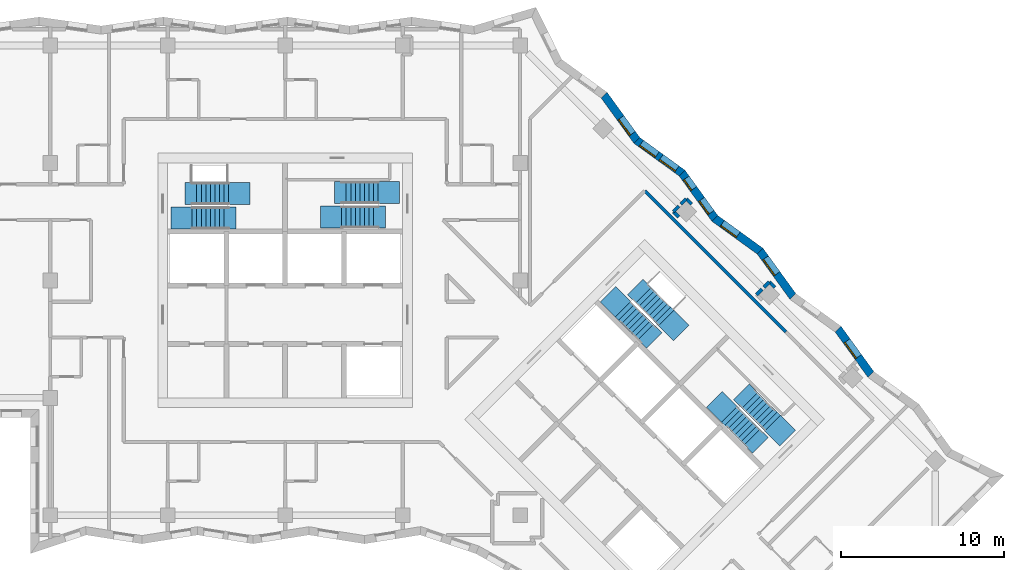
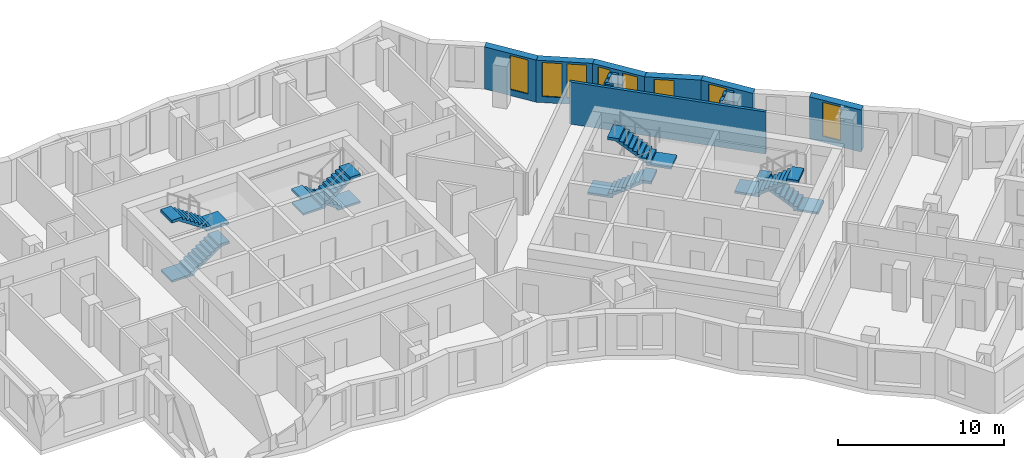
# One storey, part 10 of 12: 14 walls, 8 stair flights, 8 windows, 8 openings, 4 elements without a shape of their own.
"""IFC4 building model written with IfcOpenShell, lengths in metres."""

from ifc_helpers import new_model, si_unit, direction, frame, frame_2d, origin, place, context, subcontext, project, spatial, polyline, rectangle, outline, extrude, material, layer, layer_set, type_object, element, fill, aggregate, save


model = new_model("IFC4")

# Units and contexts
model_context = context("Model", 3, precision=1e-05, world=origin(), true_north=direction((0.0, 1.0)))
body_context = subcontext(model_context, "Body", "Model", "MODEL_VIEW")
ifc_project = project(units=[si_unit("LENGTHUNIT", "METRE"), si_unit("AREAUNIT", "SQUARE_METRE"), si_unit("VOLUMEUNIT", "CUBIC_METRE"), si_unit("PLANEANGLEUNIT", "RADIAN"), si_unit("MASSUNIT", "GRAM", prefix="KILO")], contexts=[model_context])

# Site, building, storey
site_placement = place(None, origin())
site = spatial("IfcSite", under=ifc_project, at=site_placement, CompositionType="ELEMENT")
building_placement = place(site_placement, origin())
building = spatial("IfcBuilding", under=site, at=building_placement, Name="Windrow Commons", CompositionType="ELEMENT")
storey_placement = place(building_placement, frame((0.0, 0.0, 162.6)))
storey = spatial("IfcBuildingStorey", under=building, at=storey_placement, Name="L44", CompositionType="ELEMENT", Elevation=162.6)

# Wall, opening, window
ifc_material_1 = material(Name="Brick masonry, red clay brick", Category="masonry")
ifc_layer_1 = layer(ifc_material_1, 0.5)
ifc_layer_set_1 = layer_set([ifc_layer_1], Name="Brick facade wall 500")
wall_type_1 = type_object("IfcWallType", Name="Brick facade wall 500", PredefinedType="SOLIDWALL", material=ifc_layer_set_1)
wall_1_placement = place(storey_placement, frame((100.6991, 51.8399, 0.0), z_axis=(0.0, 0.0, 1.0), x_axis=(-0.5862441964, 0.8101343976, 0.0)))
wall_1 = element("IfcWall", 1, at=wall_1_placement, inside=storey, type_object=wall_type_1, Name="Brick facade wall L44 10", PredefinedType="SOLIDWALL", context=body_context, shape_type="SweptSolid", body=[
    extrude(outline(polyline([(0.0401, -0.25), (3.4641, -0.25), (3.3839, 0.25), (-0.0401, 0.25), (0.0401, -0.25)])), origin(), (0.0, 0.0, 1.0), 3.1),
])
opening_1_placement = place(wall_1_placement, frame((1.3249, 0.0, 0.45)))
opening_1 = element("IfcOpeningElement", 2, at=opening_1_placement, cuts=wall_1, Name="Opening W7E", PredefinedType="OPENING", context=body_context, shape_type="SweptSolid", body=[
    extrude(rectangle(XDim=1.2, YDim=2.5, at=frame_2d((0.6, 1.25))), frame((0.0, 0.26, 0.0), z_axis=(0.0, -1.0, 0.0), x_axis=(1.0, 0.0, 0.0)), (0.0, 0.0, 1.0), 0.52),
])
ifc_material_2 = material(Name="Clear float glass in anodised aluminium frame", Category="aluminium")
window_type_1 = type_object("IfcWindowType", Name="Window W7 notch 1200x2500", PartitioningType="SINGLE_PANEL", PredefinedType="WINDOW", material=ifc_material_2)
window_1_placement = place(opening_1_placement, origin())
window_1 = element("IfcWindow", 3, at=window_1_placement, inside=storey, type_object=window_type_1, Name="Window L44 10.1", OverallHeight=2.5, OverallWidth=1.2, PartitioningType="SINGLE_PANEL", PredefinedType="WINDOW", context=body_context, shape_type="SweptSolid", body=[
    extrude(rectangle(XDim=1.2, YDim=2.5, at=frame_2d((0.6, 1.25))), frame((0.0, 0.18, 0.0), z_axis=(0.0, -1.0, 0.0), x_axis=(1.0, 0.0, 0.0)), (0.0, 0.0, 1.0), 0.06),
])
fill(opening_1, window_1)

wall_2_placement = place(storey_placement, frame((95.9179, 56.6211, 0.0), z_axis=(0.0, 0.0, 1.0), x_axis=(-0.586263364, 0.8101205268, 0.0)))
wall_2 = element("IfcWall", 4, at=wall_2_placement, inside=storey, type_object=wall_type_1, Name="Brick facade wall L44 12", PredefinedType="SOLIDWALL", context=body_context, shape_type="SweptSolid", body=[
    extrude(outline(polyline([(0.0401, -0.25), (3.4641, -0.25), (3.3839, 0.25), (-0.0401, 0.25), (0.0401, -0.25)])), origin(), (0.0, 0.0, 1.0), 3.1),
])
opening_2_placement = place(wall_2_placement, frame((1.6969, 0.0, 0.45)))
opening_2 = element("IfcOpeningElement", 5, at=opening_2_placement, cuts=wall_2, Name="Opening W7E", PredefinedType="OPENING", context=body_context, shape_type="SweptSolid", body=[
    extrude(rectangle(XDim=1.2, YDim=2.5, at=frame_2d((0.6, 1.25))), frame((0.0, 0.26, 0.0), z_axis=(0.0, -1.0, 0.0), x_axis=(1.0, 0.0, 0.0)), (0.0, 0.0, 1.0), 0.52),
])
window_2_placement = place(opening_2_placement, origin())
window_2 = element("IfcWindow", 6, at=window_2_placement, inside=storey, type_object=window_type_1, Name="Window L44 12.1", OverallHeight=2.5, OverallWidth=1.2, PartitioningType="SINGLE_PANEL", PredefinedType="WINDOW", context=body_context, shape_type="SweptSolid", body=[
    extrude(rectangle(XDim=1.2, YDim=2.5, at=frame_2d((0.6, 1.25))), frame((0.0, 0.18, 0.0), z_axis=(0.0, -1.0, 0.0), x_axis=(1.0, 0.0, 0.0)), (0.0, 0.0, 1.0), 0.06),
])
fill(opening_2, window_2)

wall_3_placement = place(storey_placement, frame((93.9105, 59.395, 0.0), z_axis=(0.0, 0.0, 1.0), x_axis=(-0.8101104885, 0.5862772351, 0.0)))
wall_3 = element("IfcWall", 7, at=wall_3_placement, inside=storey, type_object=wall_type_1, Name="Brick facade wall L44 13", PredefinedType="SOLIDWALL", context=body_context, shape_type="SweptSolid", body=[
    extrude(outline(polyline([(-0.0401, -0.25), (3.3839, -0.25), (3.4641, 0.25), (0.0401, 0.25), (-0.0401, -0.25)])), origin(), (0.0, 0.0, 1.0), 3.1),
])
opening_3_placement = place(wall_3_placement, frame((1.6779, 0.0, 0.45)))
opening_3 = element("IfcOpeningElement", 8, at=opening_3_placement, cuts=wall_3, Name="Opening W7E", PredefinedType="OPENING", context=body_context, shape_type="SweptSolid", body=[
    extrude(rectangle(XDim=1.2, YDim=2.5, at=frame_2d((0.6, 1.25))), frame((0.0, 0.26, 0.0), z_axis=(0.0, -1.0, 0.0), x_axis=(1.0, 0.0, 0.0)), (0.0, 0.0, 1.0), 0.52),
])
window_3_placement = place(opening_3_placement, origin())
window_3 = element("IfcWindow", 9, at=window_3_placement, inside=storey, type_object=window_type_1, Name="Window L44 13.1", OverallHeight=2.5, OverallWidth=1.2, PartitioningType="SINGLE_PANEL", PredefinedType="WINDOW", context=body_context, shape_type="SweptSolid", body=[
    extrude(rectangle(XDim=1.2, YDim=2.5, at=frame_2d((0.6, 1.25))), frame((0.0, 0.18, 0.0), z_axis=(0.0, -1.0, 0.0), x_axis=(1.0, 0.0, 0.0)), (0.0, 0.0, 1.0), 0.06),
])
fill(opening_3, window_3)

# Wall, openings, windows
wall_4_placement = place(storey_placement, frame((91.1367, 61.4024, 0.0), z_axis=(0.0, 0.0, 1.0), x_axis=(-0.5862772351, 0.8101104885, 0.0)))
wall_4 = element("IfcWall", 10, at=wall_4_placement, inside=storey, type_object=wall_type_1, Name="Brick facade wall L44 14", PredefinedType="SOLIDWALL", context=body_context, shape_type="SweptSolid", body=[
    extrude(outline(polyline([(0.0401, -0.25), (3.4641, -0.25), (3.3839, 0.25), (-0.0401, 0.25), (0.0401, -0.25)])), origin(), (0.0, 0.0, 1.0), 3.1),
])
opening_4_placement = place(wall_4_placement, frame((0.4235, 0.0, 0.45)))
opening_4 = element("IfcOpeningElement", 11, at=opening_4_placement, cuts=wall_4, Name="Opening W1S", PredefinedType="OPENING", context=body_context, shape_type="SweptSolid", body=[
    extrude(rectangle(XDim=1.0, YDim=2.5, at=frame_2d((0.5, 1.25))), frame((0.0, 0.26, 0.0), z_axis=(0.0, -1.0, 0.0), x_axis=(1.0, 0.0, 0.0)), (0.0, 0.0, 1.0), 0.52),
])
opening_5_placement = place(wall_4_placement, frame((2.2355, 0.0, 0.45)))
opening_5 = element("IfcOpeningElement", 12, at=opening_5_placement, cuts=wall_4, Name="Opening W1N", PredefinedType="OPENING", context=body_context, shape_type="SweptSolid", body=[
    extrude(rectangle(XDim=0.8, YDim=2.5, at=frame_2d((0.4, 1.25))), frame((0.0, 0.26, 0.0), z_axis=(0.0, -1.0, 0.0), x_axis=(1.0, 0.0, 0.0)), (0.0, 0.0, 1.0), 0.52),
])
ifc_material_3 = material(Name="Clear float glass in anodised aluminium frame", Category="aluminium")
window_type_2 = type_object("IfcWindowType", Name="Window W1N slit 800x2500", PartitioningType="SINGLE_PANEL", PredefinedType="WINDOW", material=ifc_material_3)
window_4_placement = place(opening_5_placement, origin())
window_4 = element("IfcWindow", 13, at=window_4_placement, inside=storey, type_object=window_type_2, Name="Window L44 14.1B", OverallHeight=2.5, OverallWidth=0.8, PartitioningType="SINGLE_PANEL", PredefinedType="WINDOW", context=body_context, shape_type="SweptSolid", body=[
    extrude(rectangle(XDim=0.8, YDim=2.5, at=frame_2d((0.4, 1.25))), frame((0.0, 0.18, 0.0), z_axis=(0.0, -1.0, 0.0), x_axis=(1.0, 0.0, 0.0)), (0.0, 0.0, 1.0), 0.06),
])
fill(opening_5, window_4)
ifc_material_4 = material(Name="Clear float glass in anodised aluminium frame", Category="aluminium")
window_type_3 = type_object("IfcWindowType", Name="Window W1S slit 1000x2500", PartitioningType="SINGLE_PANEL", PredefinedType="WINDOW", material=ifc_material_4)
window_5_placement = place(opening_4_placement, origin())
window_5 = element("IfcWindow", 14, at=window_5_placement, inside=storey, type_object=window_type_3, Name="Window L44 14.1A", OverallHeight=2.5, OverallWidth=1.0, PartitioningType="SINGLE_PANEL", PredefinedType="WINDOW", context=body_context, shape_type="SweptSolid", body=[
    extrude(rectangle(XDim=1.0, YDim=2.5, at=frame_2d((0.5, 1.25))), frame((0.0, 0.18, 0.0), z_axis=(0.0, -1.0, 0.0), x_axis=(1.0, 0.0, 0.0)), (0.0, 0.0, 1.0), 0.06),
])
fill(opening_4, window_5)

wall_5_placement = place(storey_placement, frame((89.1293, 64.1762, 0.0), z_axis=(0.0, 0.0, 1.0), x_axis=(-0.8101205268, 0.586263364, 0.0)))
wall_5 = element("IfcWall", 15, at=wall_5_placement, inside=storey, type_object=wall_type_1, Name="Brick facade wall L44 15", PredefinedType="SOLIDWALL", context=body_context, shape_type="SweptSolid", body=[
    extrude(outline(polyline([(-0.0401, -0.25), (3.3839, -0.25), (3.4641, 0.25), (0.0401, 0.25), (-0.0401, -0.25)])), origin(), (0.0, 0.0, 1.0), 3.1),
])
opening_6_placement = place(wall_5_placement, frame((0.4079, 0.0, 0.45)))
opening_6 = element("IfcOpeningElement", 16, at=opening_6_placement, cuts=wall_5, Name="Opening W7E", PredefinedType="OPENING", context=body_context, shape_type="SweptSolid", body=[
    extrude(rectangle(XDim=1.2, YDim=2.5, at=frame_2d((0.6, 1.25))), frame((0.0, 0.26, 0.0), z_axis=(0.0, -1.0, 0.0), x_axis=(1.0, 0.0, 0.0)), (0.0, 0.0, 1.0), 0.52),
])
opening_7_placement = place(wall_5_placement, frame((1.8999, 0.0, 0.45)))
opening_7 = element("IfcOpeningElement", 17, at=opening_7_placement, cuts=wall_5, Name="Opening W7E", PredefinedType="OPENING", context=body_context, shape_type="SweptSolid", body=[
    extrude(rectangle(XDim=1.2, YDim=2.5, at=frame_2d((0.6, 1.25))), frame((0.0, 0.26, 0.0), z_axis=(0.0, -1.0, 0.0), x_axis=(1.0, 0.0, 0.0)), (0.0, 0.0, 1.0), 0.52),
])
window_6_placement = place(opening_6_placement, origin())
window_6 = element("IfcWindow", 18, at=window_6_placement, inside=storey, type_object=window_type_1, Name="Window L44 15.1", OverallHeight=2.5, OverallWidth=1.2, PartitioningType="SINGLE_PANEL", PredefinedType="WINDOW", context=body_context, shape_type="SweptSolid", body=[
    extrude(rectangle(XDim=1.2, YDim=2.5, at=frame_2d((0.6, 1.25))), frame((0.0, 0.18, 0.0), z_axis=(0.0, -1.0, 0.0), x_axis=(1.0, 0.0, 0.0)), (0.0, 0.0, 1.0), 0.06),
])
fill(opening_6, window_6)
window_7_placement = place(opening_7_placement, origin())
window_7 = element("IfcWindow", 19, at=window_7_placement, inside=storey, type_object=window_type_1, Name="Window L44 15.2", OverallHeight=2.5, OverallWidth=1.2, PartitioningType="SINGLE_PANEL", PredefinedType="WINDOW", context=body_context, shape_type="SweptSolid", body=[
    extrude(rectangle(XDim=1.2, YDim=2.5, at=frame_2d((0.6, 1.25))), frame((0.0, 0.18, 0.0), z_axis=(0.0, -1.0, 0.0), x_axis=(1.0, 0.0, 0.0)), (0.0, 0.0, 1.0), 0.06),
])
fill(opening_7, window_7)

# Wall, opening, window
wall_6_placement = place(storey_placement, frame((86.3554, 66.1836, 0.0), z_axis=(0.0, 0.0, 1.0), x_axis=(-0.5862441964, 0.8101343976, 0.0)))
wall_6 = element("IfcWall", 20, at=wall_6_placement, inside=storey, type_object=wall_type_1, Name="Brick facade wall L44 16", PredefinedType="SOLIDWALL", context=body_context, shape_type="SweptSolid", body=[
    extrude(outline(polyline([(0.0401, -0.25), (3.4641, -0.25), (3.3839, 0.25), (-0.0401, 0.25), (0.0401, -0.25)])), origin(), (0.0, 0.0, 1.0), 3.1),
])
opening_8_placement = place(wall_6_placement, frame((0.4988, 0.0, 0.45)))
opening_8 = element("IfcOpeningElement", 21, at=opening_8_placement, cuts=wall_6, Name="Opening W7E", PredefinedType="OPENING", context=body_context, shape_type="SweptSolid", body=[
    extrude(rectangle(XDim=1.2, YDim=2.5, at=frame_2d((0.6, 1.25))), frame((0.0, 0.26, 0.0), z_axis=(0.0, -1.0, 0.0), x_axis=(1.0, 0.0, 0.0)), (0.0, 0.0, 1.0), 0.52),
])
window_8_placement = place(opening_8_placement, origin())
window_8 = element("IfcWindow", 22, at=window_8_placement, inside=storey, type_object=window_type_1, Name="Window L44 16.1", OverallHeight=2.5, OverallWidth=1.2, PartitioningType="SINGLE_PANEL", PredefinedType="WINDOW", context=body_context, shape_type="SweptSolid", body=[
    extrude(rectangle(XDim=1.2, YDim=2.5, at=frame_2d((0.6, 1.25))), frame((0.0, 0.18, 0.0), z_axis=(0.0, -1.0, 0.0), x_axis=(1.0, 0.0, 0.0)), (0.0, 0.0, 1.0), 0.06),
])
fill(opening_8, window_8)

# Walls
ifc_material_5 = material(Name="Blockwork partition", Category="masonry")
ifc_layer_2 = layer(ifc_material_5, 0.2)
ifc_layer_set_2 = layer_set([ifc_layer_2], Name="IW-CORRIDOR-200")
wall_type_2 = type_object("IfcWallType", Name="IW-CORRIDOR-200", PredefinedType="PARTITIONING", material=ifc_layer_set_2)
wall_7_placement = place(storey_placement, frame((86.8415, 63.0935, 0.0), z_axis=(0.0, 0.0, 1.0), x_axis=(0.7071067812, -0.7071067812, 0.0)))
element("IfcWall", 23, at=wall_7_placement, inside=storey, type_object=wall_type_2, Name="W-L44-W006", PredefinedType="PARTITIONING", context=body_context, shape_type="SweptSolid", body=[
    extrude(rectangle(XDim=12.2386, YDim=0.2, at=frame_2d((6.1193, 0.0))), origin(), (0.0, 0.0, 1.0), 3.1),
])
ifc_material_6 = material(Name="Blockwork partition", Category="masonry")
ifc_layer_3 = layer(ifc_material_6, 0.2)
ifc_layer_set_3 = layer_set([ifc_layer_3], Name="IW-PARTY-200")
wall_type_3 = type_object("IfcWallType", Name="IW-PARTY-200", PredefinedType="PARTITIONING", material=ifc_layer_set_3)
for number, where, z_axis, x_axis, name in (
    (24, (94.1448, 57.1772, 0.0), (0.0, 0.0, 1.0), (0.7071067812, 0.7071067812, 0.0), "W-L44-W176"),
    (25, (88.5996, 61.8144, 0.0), (0.0, 0.0, 1.0), (0.7071067812, 0.7071067812, 0.0), "W-L44-W177"),
    (26, (89.0536, 62.2684, 0.0), (0.0, 0.0, 1.0), (0.7071067812, 0.7071067812, 0.0), "W-L44-W178"),
    (27, (93.6908, 56.7232, 0.0), (0.0, 0.0, 1.0), (0.7071067812, 0.7071067812, 0.0), "W-L44-W179"),
):
    element("IfcWall", number, at=place(storey_placement, frame(where, z_axis=z_axis, x_axis=x_axis)), inside=storey, type_object=wall_type_3, Name=name, PredefinedType="PARTITIONING", context=body_context, shape_type="SweptSolid", body=[
        extrude(rectangle(XDim=0.4695, YDim=0.2, at=frame_2d((0.2347, 0.0))), origin(), (0.0, 0.0, 1.0), 3.1),
    ])
for number, where, z_axis, x_axis, name in (
    (28, (94.4788, 57.5088, 0.0), (0.0, 0.0, 1.0), (0.7049672897, -0.7092398187, 0.0), "W-L44-W180"),
    (29, (88.5993, 61.8133, 0.0), (0.0, 0.0, 1.0), (0.7092398187, -0.7049672897, 0.0), "W-L44-W181"),
    (30, (89.3881, 62.6021, 0.0), (0.0, 0.0, 1.0), (0.7049672897, -0.7092398187, 0.0), "W-L44-W182"),
):
    element("IfcWall", number, at=place(storey_placement, frame(where, z_axis=z_axis, x_axis=x_axis)), inside=storey, type_object=wall_type_3, Name=name, PredefinedType="PARTITIONING", context=body_context, shape_type="SweptSolid", body=[
        extrude(rectangle(XDim=0.4681, YDim=0.2, at=frame_2d((0.2341, 0.0))), origin(), (0.0, 0.0, 1.0), 3.1),
    ])

# Stair, stair flights
ifc_material_7 = material(Name="Concrete C40/50", Category="concrete")
stair_type = type_object("IfcStairType", Name="Core stair", PredefinedType="HALF_TURN_STAIR", material=ifc_material_7)
placement = place(storey_placement, origin())
stair_1 = element("IfcStair", 31, at=placement, inside=storey, type_object=stair_type, Name="L44 Exit stair A1 core A", PredefinedType="HALF_TURN_STAIR")
ifc_material_8 = material(Name="Concrete C40/50", Category="concrete")
stair_flight_type = type_object("IfcStairFlightType", Name="Core stair flight", PredefinedType="STRAIGHT", material=ifc_material_8)
stair_flight_1_placement = place(storey_placement, frame((59.1, 61.425, 0.0), z_axis=(0.0, 0.0, 1.0), x_axis=(1.0, 0.0, 0.0)))
stair_flight_1 = element("IfcStairFlight", 32, at=stair_flight_1_placement, type_object=stair_flight_type, Name="ST-A1 flight 1", NumberOfRisers=9, NumberOfTreads=8, PredefinedType="STRAIGHT", RiserHeight=0.188888889, TreadLength=0.28, context=body_context, shape_type="SweptSolid", body=[
    extrude(outline(polyline([(-1.3, -0.15), (-1.3, 0.0), (0.0, 0.0), (0.0, 0.1889), (0.28, 0.1889), (0.28, 0.3778), (0.56, 0.3778), (0.56, 0.5667), (0.84, 0.5667), (0.84, 0.7556), (1.12, 0.7556), (1.12, 0.9444), (1.4, 0.9444), (1.4, 1.1333), (1.68, 1.1333), (1.68, 1.3222), (1.96, 1.3222), (1.96, 1.5111), (2.24, 1.5111), (2.69, 1.5111), (2.69, 1.3111), (2.24, 1.3111), (2.24, 1.3302), (0.2682, 0.0), (0.2682, -0.15), (-1.3, -0.15)])), frame((0.0, 0.675, 0.0), z_axis=(0.0, -1.0, 0.0), x_axis=(1.0, 0.0, 0.0)), (0.0, 0.0, 1.0), 1.35),
])
stair_flight_2_placement = place(storey_placement, frame((61.34, 62.925, 1.7), z_axis=(0.0, 0.0, 1.0), x_axis=(-1.0, 0.0, 0.0)))
stair_flight_2 = element("IfcStairFlight", 33, at=stair_flight_2_placement, type_object=stair_flight_type, Name="ST-A1 flight 2", NumberOfRisers=9, NumberOfTreads=8, PredefinedType="STRAIGHT", RiserHeight=0.188888889, TreadLength=0.28, context=body_context, shape_type="SweptSolid", body=[
    extrude(outline(polyline([(-1.3, -0.15), (-1.3, 0.0), (0.0, 0.0), (0.0, 0.1889), (0.28, 0.1889), (0.28, 0.3778), (0.56, 0.3778), (0.56, 0.5667), (0.84, 0.5667), (0.84, 0.7556), (1.12, 0.7556), (1.12, 0.9444), (1.4, 0.9444), (1.4, 1.1333), (1.68, 1.1333), (1.68, 1.3222), (1.96, 1.3222), (1.96, 1.5111), (2.24, 1.5111), (2.69, 1.5111), (2.69, 1.3111), (2.24, 1.3111), (2.24, 1.3302), (0.2682, 0.0), (0.2682, -0.15), (-1.3, -0.15)])), frame((0.0, 0.675, 0.0), z_axis=(0.0, -1.0, 0.0), x_axis=(1.0, 0.0, 0.0)), (0.0, 0.0, 1.0), 1.35),
])
aggregate(stair_1, [stair_flight_1, stair_flight_2])

stair_2 = element("IfcStair", 34, at=placement, inside=storey, type_object=stair_type, Name="L44 Exit stair A2 core A", PredefinedType="HALF_TURN_STAIR")
stair_flight_3_placement = place(storey_placement, frame((70.5, 62.98, 0.0), z_axis=(0.0, 0.0, 1.0), x_axis=(-1.0, 0.0, 0.0)))
stair_flight_3 = element("IfcStairFlight", 35, at=stair_flight_3_placement, type_object=stair_flight_type, Name="ST-A2 flight 1", NumberOfRisers=9, NumberOfTreads=8, PredefinedType="STRAIGHT", RiserHeight=0.188888889, TreadLength=0.28, context=body_context, shape_type="SweptSolid", body=[
    extrude(outline(polyline([(-1.3, -0.15), (-1.3, 0.0), (0.0, 0.0), (0.0, 0.1889), (0.28, 0.1889), (0.28, 0.3778), (0.56, 0.3778), (0.56, 0.5667), (0.84, 0.5667), (0.84, 0.7556), (1.12, 0.7556), (1.12, 0.9444), (1.4, 0.9444), (1.4, 1.1333), (1.68, 1.1333), (1.68, 1.3222), (1.96, 1.3222), (1.96, 1.5111), (2.24, 1.5111), (2.69, 1.5111), (2.69, 1.3111), (2.24, 1.3111), (2.24, 1.3302), (0.2682, 0.0), (0.2682, -0.15), (-1.3, -0.15)])), frame((0.0, 0.675, 0.0), z_axis=(0.0, -1.0, 0.0), x_axis=(1.0, 0.0, 0.0)), (0.0, 0.0, 1.0), 1.35),
])
stair_flight_4_placement = place(storey_placement, frame((68.26, 61.48, 1.7), z_axis=(0.0, 0.0, 1.0), x_axis=(1.0, 0.0, 0.0)))
stair_flight_4 = element("IfcStairFlight", 36, at=stair_flight_4_placement, type_object=stair_flight_type, Name="ST-A2 flight 2", NumberOfRisers=9, NumberOfTreads=8, PredefinedType="STRAIGHT", RiserHeight=0.188888889, TreadLength=0.28, context=body_context, shape_type="SweptSolid", body=[
    extrude(outline(polyline([(-1.3, -0.15), (-1.3, 0.0), (0.0, 0.0), (0.0, 0.1889), (0.28, 0.1889), (0.28, 0.3778), (0.56, 0.3778), (0.56, 0.5667), (0.84, 0.5667), (0.84, 0.7556), (1.12, 0.7556), (1.12, 0.9444), (1.4, 0.9444), (1.4, 1.1333), (1.68, 1.1333), (1.68, 1.3222), (1.96, 1.3222), (1.96, 1.5111), (2.24, 1.5111), (2.69, 1.5111), (2.69, 1.3111), (2.24, 1.3111), (2.24, 1.3302), (0.2682, 0.0), (0.2682, -0.15), (-1.3, -0.15)])), frame((0.0, 0.675, 0.0), z_axis=(0.0, -1.0, 0.0), x_axis=(1.0, 0.0, 0.0)), (0.0, 0.0, 1.0), 1.35),
])
aggregate(stair_2, [stair_flight_3, stair_flight_4])

stair_3 = element("IfcStair", 37, at=placement, inside=storey, type_object=stair_type, Name="L44 Exit stair B1 core B", PredefinedType="HALF_TURN_STAIR")
stair_flight_5_placement = place(storey_placement, frame((85.5109, 55.8249, 0.0), z_axis=(0.0, 0.0, 1.0), x_axis=(0.7071067812, -0.7071067812, 0.0)))
stair_flight_5 = element("IfcStairFlight", 38, at=stair_flight_5_placement, type_object=stair_flight_type, Name="ST-B1 flight 1", NumberOfRisers=9, NumberOfTreads=8, PredefinedType="STRAIGHT", RiserHeight=0.188888889, TreadLength=0.28, context=body_context, shape_type="SweptSolid", body=[
    extrude(outline(polyline([(-1.3, -0.15), (-1.3, 0.0), (0.0, 0.0), (0.0, 0.1889), (0.28, 0.1889), (0.28, 0.3778), (0.56, 0.3778), (0.56, 0.5667), (0.84, 0.5667), (0.84, 0.7556), (1.12, 0.7556), (1.12, 0.9444), (1.4, 0.9444), (1.4, 1.1333), (1.68, 1.1333), (1.68, 1.3222), (1.96, 1.3222), (1.96, 1.5111), (2.24, 1.5111), (2.69, 1.5111), (2.69, 1.3111), (2.24, 1.3111), (2.24, 1.3302), (0.2682, 0.0), (0.2682, -0.15), (-1.3, -0.15)])), frame((0.0, 0.675, 0.0), z_axis=(0.0, -1.0, 0.0), x_axis=(1.0, 0.0, 0.0)), (0.0, 0.0, 1.0), 1.35),
])
stair_flight_6_placement = place(storey_placement, frame((88.1555, 55.3017, 1.7), z_axis=(0.0, 0.0, 1.0), x_axis=(-0.7071067812, 0.7071067812, 0.0)))
stair_flight_6 = element("IfcStairFlight", 39, at=stair_flight_6_placement, type_object=stair_flight_type, Name="ST-B1 flight 2", NumberOfRisers=9, NumberOfTreads=8, PredefinedType="STRAIGHT", RiserHeight=0.188888889, TreadLength=0.28, context=body_context, shape_type="SweptSolid", body=[
    extrude(outline(polyline([(-1.3, -0.15), (-1.3, 0.0), (0.0, 0.0), (0.0, 0.1889), (0.28, 0.1889), (0.28, 0.3778), (0.56, 0.3778), (0.56, 0.5667), (0.84, 0.5667), (0.84, 0.7556), (1.12, 0.7556), (1.12, 0.9444), (1.4, 0.9444), (1.4, 1.1333), (1.68, 1.1333), (1.68, 1.3222), (1.96, 1.3222), (1.96, 1.5111), (2.24, 1.5111), (2.69, 1.5111), (2.69, 1.3111), (2.24, 1.3111), (2.24, 1.3302), (0.2682, 0.0), (0.2682, -0.15), (-1.3, -0.15)])), frame((0.0, 0.675, 0.0), z_axis=(0.0, -1.0, 0.0), x_axis=(1.0, 0.0, 0.0)), (0.0, 0.0, 1.0), 1.35),
])
aggregate(stair_3, [stair_flight_5, stair_flight_6])

stair_4 = element("IfcStair", 40, at=placement, inside=storey, type_object=stair_type, Name="L44 Exit stair B2 core B", PredefinedType="HALF_TURN_STAIR")
stair_flight_7_placement = place(storey_placement, frame((94.6715, 48.8635, 0.0), z_axis=(0.0, 0.0, 1.0), x_axis=(-0.7071067812, 0.7071067812, 0.0)))
stair_flight_7 = element("IfcStairFlight", 41, at=stair_flight_7_placement, type_object=stair_flight_type, Name="ST-B2 flight 1", NumberOfRisers=9, NumberOfTreads=8, PredefinedType="STRAIGHT", RiserHeight=0.188888889, TreadLength=0.28, context=body_context, shape_type="SweptSolid", body=[
    extrude(outline(polyline([(-1.3, -0.15), (-1.3, 0.0), (0.0, 0.0), (0.0, 0.1889), (0.28, 0.1889), (0.28, 0.3778), (0.56, 0.3778), (0.56, 0.5667), (0.84, 0.5667), (0.84, 0.7556), (1.12, 0.7556), (1.12, 0.9444), (1.4, 0.9444), (1.4, 1.1333), (1.68, 1.1333), (1.68, 1.3222), (1.96, 1.3222), (1.96, 1.5111), (2.24, 1.5111), (2.69, 1.5111), (2.69, 1.3111), (2.24, 1.3111), (2.24, 1.3302), (0.2682, 0.0), (0.2682, -0.15), (-1.3, -0.15)])), frame((0.0, 0.675, 0.0), z_axis=(0.0, -1.0, 0.0), x_axis=(1.0, 0.0, 0.0)), (0.0, 0.0, 1.0), 1.35),
])
stair_flight_8_placement = place(storey_placement, frame((92.0269, 49.3867, 1.7), z_axis=(0.0, 0.0, 1.0), x_axis=(0.7071067812, -0.7071067812, 0.0)))
stair_flight_8 = element("IfcStairFlight", 42, at=stair_flight_8_placement, type_object=stair_flight_type, Name="ST-B2 flight 2", NumberOfRisers=9, NumberOfTreads=8, PredefinedType="STRAIGHT", RiserHeight=0.188888889, TreadLength=0.28, context=body_context, shape_type="SweptSolid", body=[
    extrude(outline(polyline([(-1.3, -0.15), (-1.3, 0.0), (0.0, 0.0), (0.0, 0.1889), (0.28, 0.1889), (0.28, 0.3778), (0.56, 0.3778), (0.56, 0.5667), (0.84, 0.5667), (0.84, 0.7556), (1.12, 0.7556), (1.12, 0.9444), (1.4, 0.9444), (1.4, 1.1333), (1.68, 1.1333), (1.68, 1.3222), (1.96, 1.3222), (1.96, 1.5111), (2.24, 1.5111), (2.69, 1.5111), (2.69, 1.3111), (2.24, 1.3111), (2.24, 1.3302), (0.2682, 0.0), (0.2682, -0.15), (-1.3, -0.15)])), frame((0.0, 0.675, 0.0), z_axis=(0.0, -1.0, 0.0), x_axis=(1.0, 0.0, 0.0)), (0.0, 0.0, 1.0), 1.35),
])
aggregate(stair_4, [stair_flight_7, stair_flight_8])

save(model, "model.ifc")
